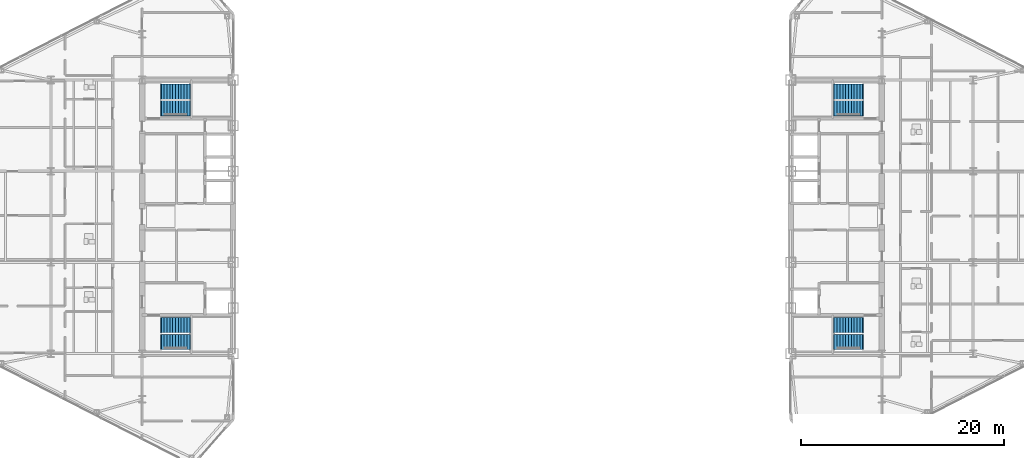
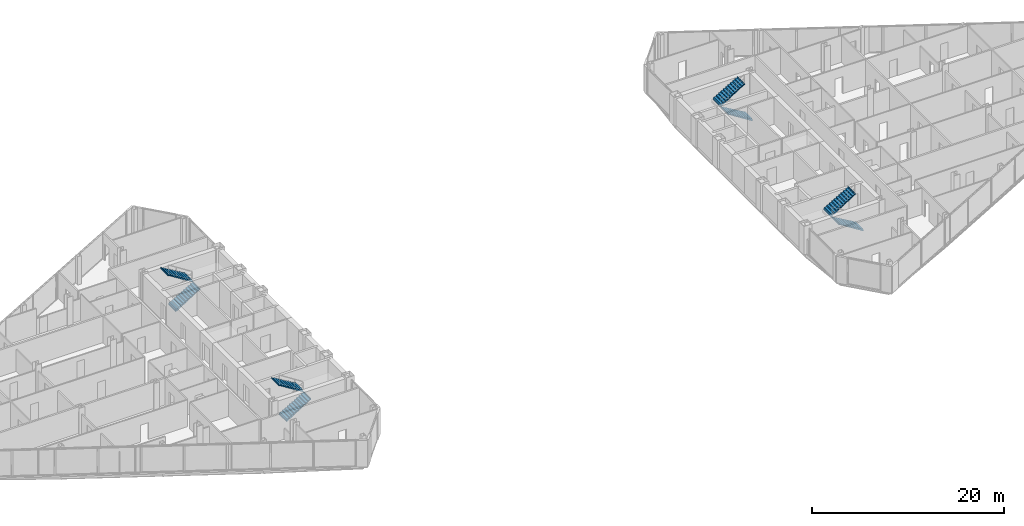
# One storey, part 21 of 23: 8 stair flights, 4 elements without a shape of their own.
"""IFC4 building model written with IfcOpenShell, lengths in metres."""

from ifc_helpers import new_model, si_unit, direction, frame, origin, place, context, subcontext, project, spatial, polyline, outline, extrude, material, type_object, element, aggregate, save


model = new_model("IFC4")

# Units and contexts
model_context = context("Model", 3, precision=1e-05, world=origin(), true_north=direction((0.0, 1.0)))
body_context = subcontext(model_context, "Body", "Model", "MODEL_VIEW")
ifc_project = project(units=[si_unit("LENGTHUNIT", "METRE"), si_unit("AREAUNIT", "SQUARE_METRE"), si_unit("VOLUMEUNIT", "CUBIC_METRE"), si_unit("PLANEANGLEUNIT", "RADIAN"), si_unit("MASSUNIT", "GRAM", prefix="KILO")], contexts=[model_context])

# Site, building, storey
site_placement = place(None, origin())
site = spatial("IfcSite", under=ifc_project, at=site_placement, CompositionType="ELEMENT")
building_placement = place(site_placement, origin())
building = spatial("IfcBuilding", under=site, at=building_placement, Name="Seokmaru Belvedere", CompositionType="ELEMENT")
storey_placement = place(building_placement, frame((0.0, 0.0, 154.800048828125)))
storey = spatial("IfcBuildingStorey", under=building, at=storey_placement, Name="L41", CompositionType="ELEMENT", Elevation=154.800048828125)

# Stair, stair flights
ifc_material = material(Name="Concrete C40 (40 MPa)", Category="concrete")
stair_type = type_object("IfcStairType", Name="Typical Tower Core Dog-Leg Stair 3600", PredefinedType="TWO_STRAIGHT_RUN_STAIR", material=ifc_material)
stair_1_placement = place(storey_placement, origin())
stair_1 = element("IfcStair", 1, at=stair_1_placement, inside=storey, type_object=stair_type, Name="L41 Special Escape Stair ST-W1", PredefinedType="TWO_STRAIGHT_RUN_STAIR")
stair_flight_type = type_object("IfcStairFlightType", Name="Reinforced Concrete Stair Flight 1500", PredefinedType="STRAIGHT", material=ifc_material)
stair_flight_1_placement = place(storey_placement, frame((-34.60009765625, -12.35009765625, 0.0), z_axis=(0.0, 0.0, 1.0), x_axis=(1.0, 0.0, 0.0)))
stair_flight_1 = element("IfcStairFlight", 2, at=stair_flight_1_placement, type_object=stair_flight_type, Name="ST-W1 flight 1", NumberOfRisers=11, NumberOfTreads=10, PredefinedType="STRAIGHT", RiserHeight=0.163636364, TreadLength=0.28, context=body_context, shape_type="SweptSolid", body=[
    extrude(outline(polyline([(-0.080078125, 0.0), (0.0, 0.16357421875), (0.280029296875, 0.16357421875), (0.280029296875, 0.327392578125), (0.56005859375, 0.327392578125), (0.56005859375, 0.490966796875), (0.840087890625, 0.490966796875), (0.840087890625, 0.654541015625), (1.1201171875, 0.654541015625), (1.1201171875, 0.818115234375), (1.39990234375, 0.818115234375), (1.39990234375, 0.98193359375), (1.679931640625, 0.98193359375), (1.679931640625, 1.1455078125), (1.9599609375, 1.1455078125), (1.9599609375, 1.30908203125), (2.239990234375, 1.30908203125), (2.239990234375, 1.47265625), (2.52001953125, 1.47265625), (2.52001953125, 1.636474609375), (2.800048828125, 1.636474609375), (2.800048828125, 1.800048828125), (2.8798828125, 1.800048828125), (2.8798828125, 1.610107421875), (2.800048828125, 1.610107421875), (0.0, -0.159912109375), (-0.080078125, -0.159912109375), (-0.080078125, 0.0)])), frame((0.0, 0.75, 0.0), z_axis=(0.0, -1.0, 0.0), x_axis=(1.0, 0.0, 0.0)), (0.0, 0.0, 1.0), 1.5),
])
stair_flight_2_placement = place(storey_placement, frame((-31.800048828125, -10.7099609375, 1.800048828125), z_axis=(0.0, 0.0, 1.0), x_axis=(-1.0, 0.0, 0.0)))
stair_flight_2 = element("IfcStairFlight", 3, at=stair_flight_2_placement, type_object=stair_flight_type, Name="ST-W1 flight 2", NumberOfRisers=11, NumberOfTreads=10, PredefinedType="STRAIGHT", RiserHeight=0.163636364, TreadLength=0.28, context=body_context, shape_type="SweptSolid", body=[
    extrude(outline(polyline([(-0.080078125, 0.0), (0.0, 0.16357421875), (0.280029296875, 0.16357421875), (0.280029296875, 0.327392578125), (0.56005859375, 0.327392578125), (0.56005859375, 0.490966796875), (0.840087890625, 0.490966796875), (0.840087890625, 0.654541015625), (1.1201171875, 0.654541015625), (1.1201171875, 0.818115234375), (1.39990234375, 0.818115234375), (1.39990234375, 0.98193359375), (1.679931640625, 0.98193359375), (1.679931640625, 1.1455078125), (1.9599609375, 1.1455078125), (1.9599609375, 1.30908203125), (2.239990234375, 1.30908203125), (2.239990234375, 1.47265625), (2.52001953125, 1.47265625), (2.52001953125, 1.636474609375), (2.800048828125, 1.636474609375), (2.800048828125, 1.800048828125), (2.8798828125, 1.800048828125), (2.8798828125, 1.610107421875), (2.800048828125, 1.610107421875), (0.0, -0.159912109375), (-0.080078125, -0.159912109375), (-0.080078125, 0.0)])), frame((0.0, 0.75, 0.0), z_axis=(0.0, -1.0, 0.0), x_axis=(1.0, 0.0, 0.0)), (0.0, 0.0, 1.0), 1.5),
])
aggregate(stair_1, [stair_flight_1, stair_flight_2])

stair_2_placement = place(storey_placement, origin())
stair_2 = element("IfcStair", 4, at=stair_2_placement, inside=storey, type_object=stair_type, Name="L41 Special Escape Stair ST-W2", PredefinedType="TWO_STRAIGHT_RUN_STAIR")
stair_flight_3_placement = place(storey_placement, frame((-34.60009765625, 10.7099609375, 0.0), z_axis=(0.0, 0.0, 1.0), x_axis=(1.0, 0.0, 0.0)))
stair_flight_3 = element("IfcStairFlight", 5, at=stair_flight_3_placement, type_object=stair_flight_type, Name="ST-W2 flight 1", NumberOfRisers=11, NumberOfTreads=10, PredefinedType="STRAIGHT", RiserHeight=0.163636364, TreadLength=0.28, context=body_context, shape_type="SweptSolid", body=[
    extrude(outline(polyline([(-0.080078125, 0.0), (0.0, 0.16357421875), (0.280029296875, 0.16357421875), (0.280029296875, 0.327392578125), (0.56005859375, 0.327392578125), (0.56005859375, 0.490966796875), (0.840087890625, 0.490966796875), (0.840087890625, 0.654541015625), (1.1201171875, 0.654541015625), (1.1201171875, 0.818115234375), (1.39990234375, 0.818115234375), (1.39990234375, 0.98193359375), (1.679931640625, 0.98193359375), (1.679931640625, 1.1455078125), (1.9599609375, 1.1455078125), (1.9599609375, 1.30908203125), (2.239990234375, 1.30908203125), (2.239990234375, 1.47265625), (2.52001953125, 1.47265625), (2.52001953125, 1.636474609375), (2.800048828125, 1.636474609375), (2.800048828125, 1.800048828125), (2.8798828125, 1.800048828125), (2.8798828125, 1.610107421875), (2.800048828125, 1.610107421875), (0.0, -0.159912109375), (-0.080078125, -0.159912109375), (-0.080078125, 0.0)])), frame((0.0, 0.75, 0.0), z_axis=(0.0, -1.0, 0.0), x_axis=(1.0, 0.0, 0.0)), (0.0, 0.0, 1.0), 1.5),
])
stair_flight_4_placement = place(storey_placement, frame((-31.800048828125, 12.35009765625, 1.800048828125), z_axis=(0.0, 0.0, 1.0), x_axis=(-1.0, 0.0, 0.0)))
stair_flight_4 = element("IfcStairFlight", 6, at=stair_flight_4_placement, type_object=stair_flight_type, Name="ST-W2 flight 2", NumberOfRisers=11, NumberOfTreads=10, PredefinedType="STRAIGHT", RiserHeight=0.163636364, TreadLength=0.28, context=body_context, shape_type="SweptSolid", body=[
    extrude(outline(polyline([(-0.080078125, 0.0), (0.0, 0.16357421875), (0.280029296875, 0.16357421875), (0.280029296875, 0.327392578125), (0.56005859375, 0.327392578125), (0.56005859375, 0.490966796875), (0.840087890625, 0.490966796875), (0.840087890625, 0.654541015625), (1.1201171875, 0.654541015625), (1.1201171875, 0.818115234375), (1.39990234375, 0.818115234375), (1.39990234375, 0.98193359375), (1.679931640625, 0.98193359375), (1.679931640625, 1.1455078125), (1.9599609375, 1.1455078125), (1.9599609375, 1.30908203125), (2.239990234375, 1.30908203125), (2.239990234375, 1.47265625), (2.52001953125, 1.47265625), (2.52001953125, 1.636474609375), (2.800048828125, 1.636474609375), (2.800048828125, 1.800048828125), (2.8798828125, 1.800048828125), (2.8798828125, 1.610107421875), (2.800048828125, 1.610107421875), (0.0, -0.159912109375), (-0.080078125, -0.159912109375), (-0.080078125, 0.0)])), frame((0.0, 0.75, 0.0), z_axis=(0.0, -1.0, 0.0), x_axis=(1.0, 0.0, 0.0)), (0.0, 0.0, 1.0), 1.5),
])
aggregate(stair_2, [stair_flight_3, stair_flight_4])

stair_3_placement = place(storey_placement, origin())
stair_3 = element("IfcStair", 7, at=stair_3_placement, inside=storey, type_object=stair_type, Name="L41 Special Escape Stair ST-E1", PredefinedType="TWO_STRAIGHT_RUN_STAIR")
stair_flight_5_placement = place(storey_placement, frame((34.60009765625, -12.35009765625, 0.0), z_axis=(0.0, 0.0, 1.0), x_axis=(-1.0, 0.0, 0.0)))
stair_flight_5 = element("IfcStairFlight", 8, at=stair_flight_5_placement, type_object=stair_flight_type, Name="ST-E1 flight 1", NumberOfRisers=11, NumberOfTreads=10, PredefinedType="STRAIGHT", RiserHeight=0.163636364, TreadLength=0.28, context=body_context, shape_type="SweptSolid", body=[
    extrude(outline(polyline([(-0.080078125, 0.0), (0.0, 0.16357421875), (0.280029296875, 0.16357421875), (0.280029296875, 0.327392578125), (0.56005859375, 0.327392578125), (0.56005859375, 0.490966796875), (0.840087890625, 0.490966796875), (0.840087890625, 0.654541015625), (1.1201171875, 0.654541015625), (1.1201171875, 0.818115234375), (1.39990234375, 0.818115234375), (1.39990234375, 0.98193359375), (1.679931640625, 0.98193359375), (1.679931640625, 1.1455078125), (1.9599609375, 1.1455078125), (1.9599609375, 1.30908203125), (2.239990234375, 1.30908203125), (2.239990234375, 1.47265625), (2.52001953125, 1.47265625), (2.52001953125, 1.636474609375), (2.800048828125, 1.636474609375), (2.800048828125, 1.800048828125), (2.8798828125, 1.800048828125), (2.8798828125, 1.610107421875), (2.800048828125, 1.610107421875), (0.0, -0.159912109375), (-0.080078125, -0.159912109375), (-0.080078125, 0.0)])), frame((0.0, 0.75, 0.0), z_axis=(0.0, -1.0, 0.0), x_axis=(1.0, 0.0, 0.0)), (0.0, 0.0, 1.0), 1.5),
])
stair_flight_6_placement = place(storey_placement, frame((31.800048828125, -10.7099609375, 1.800048828125), z_axis=(0.0, 0.0, 1.0), x_axis=(1.0, 0.0, 0.0)))
stair_flight_6 = element("IfcStairFlight", 9, at=stair_flight_6_placement, type_object=stair_flight_type, Name="ST-E1 flight 2", NumberOfRisers=11, NumberOfTreads=10, PredefinedType="STRAIGHT", RiserHeight=0.163636364, TreadLength=0.28, context=body_context, shape_type="SweptSolid", body=[
    extrude(outline(polyline([(-0.080078125, 0.0), (0.0, 0.16357421875), (0.280029296875, 0.16357421875), (0.280029296875, 0.327392578125), (0.56005859375, 0.327392578125), (0.56005859375, 0.490966796875), (0.840087890625, 0.490966796875), (0.840087890625, 0.654541015625), (1.1201171875, 0.654541015625), (1.1201171875, 0.818115234375), (1.39990234375, 0.818115234375), (1.39990234375, 0.98193359375), (1.679931640625, 0.98193359375), (1.679931640625, 1.1455078125), (1.9599609375, 1.1455078125), (1.9599609375, 1.30908203125), (2.239990234375, 1.30908203125), (2.239990234375, 1.47265625), (2.52001953125, 1.47265625), (2.52001953125, 1.636474609375), (2.800048828125, 1.636474609375), (2.800048828125, 1.800048828125), (2.8798828125, 1.800048828125), (2.8798828125, 1.610107421875), (2.800048828125, 1.610107421875), (0.0, -0.159912109375), (-0.080078125, -0.159912109375), (-0.080078125, 0.0)])), frame((0.0, 0.75, 0.0), z_axis=(0.0, -1.0, 0.0), x_axis=(1.0, 0.0, 0.0)), (0.0, 0.0, 1.0), 1.5),
])
aggregate(stair_3, [stair_flight_5, stair_flight_6])

stair_4_placement = place(storey_placement, origin())
stair_4 = element("IfcStair", 10, at=stair_4_placement, inside=storey, type_object=stair_type, Name="L41 Special Escape Stair ST-E2", PredefinedType="TWO_STRAIGHT_RUN_STAIR")
stair_flight_7_placement = place(storey_placement, frame((34.60009765625, 10.7099609375, 0.0), z_axis=(0.0, 0.0, 1.0), x_axis=(-1.0, 0.0, 0.0)))
stair_flight_7 = element("IfcStairFlight", 11, at=stair_flight_7_placement, type_object=stair_flight_type, Name="ST-E2 flight 1", NumberOfRisers=11, NumberOfTreads=10, PredefinedType="STRAIGHT", RiserHeight=0.163636364, TreadLength=0.28, context=body_context, shape_type="SweptSolid", body=[
    extrude(outline(polyline([(-0.080078125, 0.0), (0.0, 0.16357421875), (0.280029296875, 0.16357421875), (0.280029296875, 0.327392578125), (0.56005859375, 0.327392578125), (0.56005859375, 0.490966796875), (0.840087890625, 0.490966796875), (0.840087890625, 0.654541015625), (1.1201171875, 0.654541015625), (1.1201171875, 0.818115234375), (1.39990234375, 0.818115234375), (1.39990234375, 0.98193359375), (1.679931640625, 0.98193359375), (1.679931640625, 1.1455078125), (1.9599609375, 1.1455078125), (1.9599609375, 1.30908203125), (2.239990234375, 1.30908203125), (2.239990234375, 1.47265625), (2.52001953125, 1.47265625), (2.52001953125, 1.636474609375), (2.800048828125, 1.636474609375), (2.800048828125, 1.800048828125), (2.8798828125, 1.800048828125), (2.8798828125, 1.610107421875), (2.800048828125, 1.610107421875), (0.0, -0.159912109375), (-0.080078125, -0.159912109375), (-0.080078125, 0.0)])), frame((0.0, 0.75, 0.0), z_axis=(0.0, -1.0, 0.0), x_axis=(1.0, 0.0, 0.0)), (0.0, 0.0, 1.0), 1.5),
])
stair_flight_8_placement = place(storey_placement, frame((31.800048828125, 12.35009765625, 1.800048828125), z_axis=(0.0, 0.0, 1.0), x_axis=(1.0, 0.0, 0.0)))
stair_flight_8 = element("IfcStairFlight", 12, at=stair_flight_8_placement, type_object=stair_flight_type, Name="ST-E2 flight 2", NumberOfRisers=11, NumberOfTreads=10, PredefinedType="STRAIGHT", RiserHeight=0.163636364, TreadLength=0.28, context=body_context, shape_type="SweptSolid", body=[
    extrude(outline(polyline([(-0.080078125, 0.0), (0.0, 0.16357421875), (0.280029296875, 0.16357421875), (0.280029296875, 0.327392578125), (0.56005859375, 0.327392578125), (0.56005859375, 0.490966796875), (0.840087890625, 0.490966796875), (0.840087890625, 0.654541015625), (1.1201171875, 0.654541015625), (1.1201171875, 0.818115234375), (1.39990234375, 0.818115234375), (1.39990234375, 0.98193359375), (1.679931640625, 0.98193359375), (1.679931640625, 1.1455078125), (1.9599609375, 1.1455078125), (1.9599609375, 1.30908203125), (2.239990234375, 1.30908203125), (2.239990234375, 1.47265625), (2.52001953125, 1.47265625), (2.52001953125, 1.636474609375), (2.800048828125, 1.636474609375), (2.800048828125, 1.800048828125), (2.8798828125, 1.800048828125), (2.8798828125, 1.610107421875), (2.800048828125, 1.610107421875), (0.0, -0.159912109375), (-0.080078125, -0.159912109375), (-0.080078125, 0.0)])), frame((0.0, 0.75, 0.0), z_axis=(0.0, -1.0, 0.0), x_axis=(1.0, 0.0, 0.0)), (0.0, 0.0, 1.0), 1.5),
])
aggregate(stair_4, [stair_flight_7, stair_flight_8])

save(model, "model.ifc")
